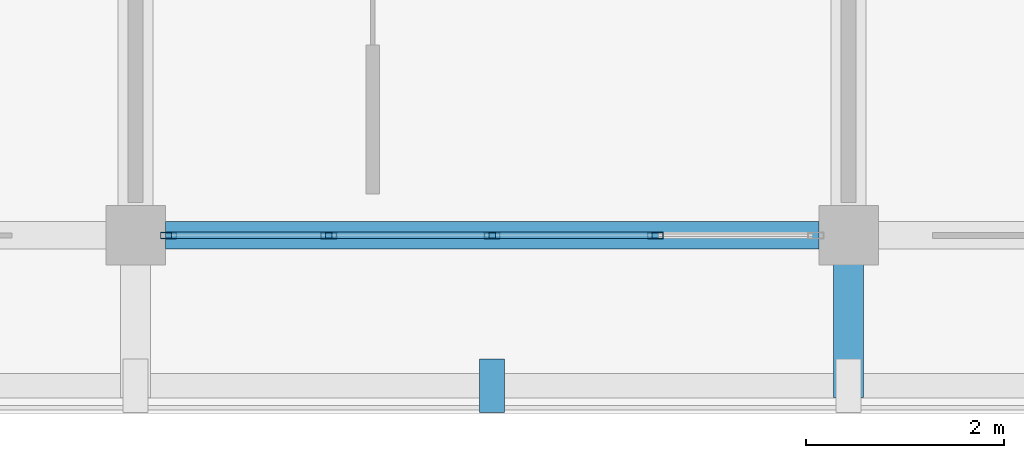
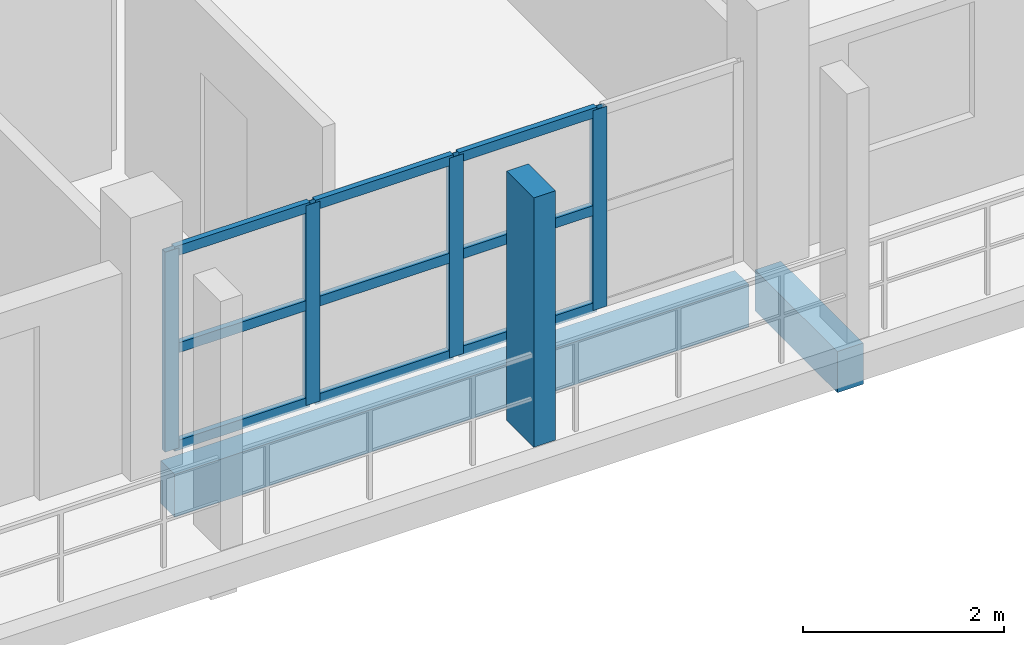
# One storey, part 4 of 78: 14 members, 2 beams, 1 element without a shape of its own.
"""IFC4 building model written with IfcOpenShell, lengths in metres."""

from ifc_helpers import new_model, si_unit, direction, frame, origin, origin_2d, place, context, subcontext, project, spatial, rectangle, hollow_rectangle, extrude, material, material_profile, profile_set, type_object, element, aggregate, save


model = new_model("IFC4")

# Units and contexts
model_context = context("Model", 3, precision=1e-05, world=origin(), true_north=direction((0.0, 1.0)))
body_context = subcontext(model_context, "Body", "Model", "MODEL_VIEW")
ifc_project = project(units=[si_unit("LENGTHUNIT", "METRE"), si_unit("AREAUNIT", "SQUARE_METRE"), si_unit("VOLUMEUNIT", "CUBIC_METRE"), si_unit("PLANEANGLEUNIT", "RADIAN"), si_unit("MASSUNIT", "GRAM", prefix="KILO")], contexts=[model_context])

# Site, building, storey
site_placement = place(None, origin())
site = spatial("IfcSite", under=ifc_project, at=site_placement, CompositionType="ELEMENT")
building_placement = place(site_placement, origin())
building = spatial("IfcBuilding", under=site, at=building_placement, Name="Suanplinth Sawtooth Commons", CompositionType="ELEMENT")
storey_placement = place(building_placement, frame((0.0, 0.0, 15.39990234375)))
storey = spatial("IfcBuildingStorey", under=building, at=storey_placement, Name="L04", CompositionType="ELEMENT", Elevation=15.39990234375)

# Beams
ifc_material_1 = material(Name="Precast concrete C40/50", Category="concrete")
ifc_material_profile_1 = material_profile(ifc_material_1, rectangle(XDim=0.300048828125, YDim=0.5, at=origin_2d()), Name="PC-BM 300x500")
ifc_profile_set_1 = profile_set([ifc_material_profile_1], Name="Precast concrete C40/50")
beam_type_1 = type_object("IfcBeamType", Name="B-07", PredefinedType="BEAM", material=ifc_profile_set_1)
beam_1_placement = place(storey_placement, frame((21.60009765625, 0.0, -0.429931640625), z_axis=(0.0, -1.0, 0.0), x_axis=(1.0, 0.0, 0.0)))
element("IfcBeam", 1, at=beam_1_placement, inside=storey, type_object=beam_type_1, Name="Balcony Outrigger L04-D-S-3", PredefinedType="BEAM", context=body_context, shape_type="SweptSolid", body=[
    extrude(rectangle(XDim=0.300048828125, YDim=0.5, at=origin_2d()), origin(), (0.0, 0.0, 1.0), 1.639892578125),
])
ifc_material_profile_2 = material_profile(ifc_material_1, rectangle(XDim=0.280029296875, YDim=0.52001953125, at=origin_2d()), Name="PC-SP 280x520")
ifc_profile_set_2 = profile_set([ifc_material_profile_2], Name="Precast concrete C40/50")
beam_type_2 = type_object("IfcBeamType", Name="B-08", PredefinedType="SPANDREL", material=ifc_profile_set_2)
beam_2_placement = place(storey_placement, frame((14.699951171875, 0.0, -0.47998046875), z_axis=(1.0, 0.0, 0.0), x_axis=(0.0, 1.0, 0.0)))
element("IfcBeam", 2, at=beam_2_placement, inside=storey, type_object=beam_type_2, Name="BMX-L04-D-2-0", PredefinedType="SPANDREL", context=body_context, shape_type="SweptSolid", body=[
    extrude(rectangle(XDim=0.280029296875, YDim=0.52001953125, at=origin_2d()), origin(), (0.0, 0.0, 1.0), 6.60009765625),
])

# Member
ifc_material_2 = material(Name="Pigmented precast concrete C40/50", Category="concrete")
ifc_material_profile_3 = material_profile(ifc_material_2, rectangle(XDim=0.25, YDim=0.5400390625, at=origin_2d()), Name="PC-FIN 250x540")
ifc_profile_set_3 = profile_set([ifc_material_profile_3], Name="Pigmented precast concrete C40/50")
member_type_1 = type_object("IfcMemberType", Name="M-11", PredefinedType="USERDEFINED", material=ifc_profile_set_3)
member_1_placement = place(storey_placement, frame((18.0, -1.52001953125, 0.0), z_axis=(0.0, 0.0, 1.0), x_axis=(1.0, 0.0, 0.0)))
element("IfcMember", 3, at=member_1_placement, inside=storey, type_object=member_type_1, Name="Upright Solar Blade L04-D-S-04", ObjectType="SHADING FIN", PredefinedType="USERDEFINED", context=body_context, shape_type="SweptSolid", body=[
    extrude(rectangle(XDim=0.25, YDim=0.5400390625, at=origin_2d()), origin(), (0.0, 0.0, 1.0), 3.030029296875),
])

# Curtain wall, members
ifc_material_3 = material(Name="Anodized aluminium and low-E glazing", Category="aluminium")
curtain_wall_type = type_object("IfcCurtainWallType", Name="CW-06", PredefinedType="USERDEFINED", material=ifc_material_3)
curtain_wall_placement = place(storey_placement, origin())
curtain_wall = element("IfcCurtainWall", 4, at=curtain_wall_placement, inside=storey, type_object=curtain_wall_type, Name="Curtain Wall CW-L04-D-LOUNGE-2", ObjectType="CURTAIN WALL", PredefinedType="USERDEFINED")
ifc_material_4 = material(Name="Anodized aluminium 6063-T6", Category="aluminium")
ifc_material_profile_4 = material_profile(ifc_material_4, hollow_rectangle(XDim=0.06494140625, YDim=0.159912109375, WallThickness=0.00390625, at=origin_2d()), Name="ALU-MUL 65x160")
ifc_profile_set_4 = profile_set([ifc_material_profile_4], Name="Anodized aluminium 6063-T6")
member_type_2 = type_object("IfcMemberType", Name="M-13", PredefinedType="MULLION", material=ifc_profile_set_4)
member_2_placement = place(storey_placement, frame((14.732421875, 0.0, 0.0), z_axis=(0.0, 0.0, 1.0), x_axis=(0.0, 1.0, 0.0)))
member_2 = element("IfcMember", 5, at=member_2_placement, type_object=member_type_2, Name="CW-06 mullion 1", PredefinedType="MULLION", context=body_context, shape_type="SweptSolid", body=[
    extrude(hollow_rectangle(XDim=0.06494140625, YDim=0.159912109375, WallThickness=0.00390625, at=origin_2d()), origin(), (0.0, 0.0, 1.0), 2.43017578125),
])
member_3_placement = place(storey_placement, frame((16.35009765625, 0.0, 0.0), z_axis=(0.0, 0.0, 1.0), x_axis=(0.0, 1.0, 0.0)))
member_3 = element("IfcMember", 6, at=member_3_placement, type_object=member_type_2, Name="CW-06 mullion 2", PredefinedType="MULLION", context=body_context, shape_type="SweptSolid", body=[
    extrude(hollow_rectangle(XDim=0.06494140625, YDim=0.159912109375, WallThickness=0.00390625, at=origin_2d()), origin(), (0.0, 0.0, 1.0), 2.43017578125),
])
member_4_placement = place(storey_placement, frame((18.0, 0.0, 0.0), z_axis=(0.0, 0.0, 1.0), x_axis=(0.0, 1.0, 0.0)))
member_4 = element("IfcMember", 7, at=member_4_placement, type_object=member_type_2, Name="CW-06 mullion 3", PredefinedType="MULLION", context=body_context, shape_type="SweptSolid", body=[
    extrude(hollow_rectangle(XDim=0.06494140625, YDim=0.159912109375, WallThickness=0.00390625, at=origin_2d()), origin(), (0.0, 0.0, 1.0), 2.43017578125),
])
member_5_placement = place(storey_placement, frame((19.64990234375, 0.0, 0.0), z_axis=(0.0, 0.0, 1.0), x_axis=(0.0, 1.0, 0.0)))
member_5 = element("IfcMember", 8, at=member_5_placement, type_object=member_type_2, Name="CW-06 mullion 4", PredefinedType="MULLION", context=body_context, shape_type="SweptSolid", body=[
    extrude(hollow_rectangle(XDim=0.06494140625, YDim=0.159912109375, WallThickness=0.00390625, at=origin_2d()), origin(), (0.0, 0.0, 1.0), 2.43017578125),
])
ifc_material_profile_5 = material_profile(ifc_material_4, hollow_rectangle(XDim=0.06494140625, YDim=0.1201171875, WallThickness=0.00390625, at=origin_2d()), Name="ALU-TRN 65x120")
ifc_profile_set_5 = profile_set([ifc_material_profile_5], Name="Anodized aluminium 6063-T6")
member_type_3 = type_object("IfcMemberType", Name="M-15", PredefinedType="USERDEFINED", material=ifc_profile_set_5)
member_6_placement = place(storey_placement, frame((14.764892578125, 0.0, 0.03271484375), z_axis=(1.0, 0.0, 0.0), x_axis=(0.0, 1.0, 0.0)))
member_6 = element("IfcMember", 9, at=member_6_placement, type_object=member_type_3, Name="CW-06 transom 1.1", ObjectType="TRANSOM", PredefinedType="USERDEFINED", context=body_context, shape_type="SweptSolid", body=[
    extrude(hollow_rectangle(XDim=0.06494140625, YDim=0.1201171875, WallThickness=0.00390625, at=origin_2d()), origin(), (0.0, 0.0, 1.0), 1.552490234375),
])
member_7_placement = place(storey_placement, frame((14.764892578125, 0.0, 1.215087890625), z_axis=(1.0, 0.0, 0.0), x_axis=(0.0, 1.0, 0.0)))
member_7 = element("IfcMember", 10, at=member_7_placement, type_object=member_type_3, Name="CW-06 transom 1.2", ObjectType="TRANSOM", PredefinedType="USERDEFINED", context=body_context, shape_type="SweptSolid", body=[
    extrude(hollow_rectangle(XDim=0.06494140625, YDim=0.1201171875, WallThickness=0.00390625, at=origin_2d()), origin(), (0.0, 0.0, 1.0), 1.552490234375),
])
member_8_placement = place(storey_placement, frame((14.764892578125, 0.0, 2.397705078125), z_axis=(1.0, 0.0, 0.0), x_axis=(0.0, 1.0, 0.0)))
member_8 = element("IfcMember", 11, at=member_8_placement, type_object=member_type_3, Name="CW-06 transom 1.3", ObjectType="TRANSOM", PredefinedType="USERDEFINED", context=body_context, shape_type="SweptSolid", body=[
    extrude(hollow_rectangle(XDim=0.06494140625, YDim=0.1201171875, WallThickness=0.00390625, at=origin_2d()), origin(), (0.0, 0.0, 1.0), 1.552490234375),
])
member_9_placement = place(storey_placement, frame((16.382568359375, 0.0, 0.03271484375), z_axis=(1.0, 0.0, 0.0), x_axis=(0.0, 1.0, 0.0)))
member_9 = element("IfcMember", 12, at=member_9_placement, type_object=member_type_3, Name="CW-06 transom 2.1", ObjectType="TRANSOM", PredefinedType="USERDEFINED", context=body_context, shape_type="SweptSolid", body=[
    extrude(hollow_rectangle(XDim=0.06494140625, YDim=0.1201171875, WallThickness=0.00390625, at=origin_2d()), origin(), (0.0, 0.0, 1.0), 1.5849609375),
])
member_10_placement = place(storey_placement, frame((16.382568359375, 0.0, 1.215087890625), z_axis=(1.0, 0.0, 0.0), x_axis=(0.0, 1.0, 0.0)))
member_10 = element("IfcMember", 13, at=member_10_placement, type_object=member_type_3, Name="CW-06 transom 2.2", ObjectType="TRANSOM", PredefinedType="USERDEFINED", context=body_context, shape_type="SweptSolid", body=[
    extrude(hollow_rectangle(XDim=0.06494140625, YDim=0.1201171875, WallThickness=0.00390625, at=origin_2d()), origin(), (0.0, 0.0, 1.0), 1.5849609375),
])
member_11_placement = place(storey_placement, frame((16.382568359375, 0.0, 2.397705078125), z_axis=(1.0, 0.0, 0.0), x_axis=(0.0, 1.0, 0.0)))
member_11 = element("IfcMember", 14, at=member_11_placement, type_object=member_type_3, Name="CW-06 transom 2.3", ObjectType="TRANSOM", PredefinedType="USERDEFINED", context=body_context, shape_type="SweptSolid", body=[
    extrude(hollow_rectangle(XDim=0.06494140625, YDim=0.1201171875, WallThickness=0.00390625, at=origin_2d()), origin(), (0.0, 0.0, 1.0), 1.5849609375),
])
member_12_placement = place(storey_placement, frame((18.032470703125, 0.0, 0.03271484375), z_axis=(1.0, 0.0, 0.0), x_axis=(0.0, 1.0, 0.0)))
member_12 = element("IfcMember", 15, at=member_12_placement, type_object=member_type_3, Name="CW-06 transom 3.1", ObjectType="TRANSOM", PredefinedType="USERDEFINED", context=body_context, shape_type="SweptSolid", body=[
    extrude(hollow_rectangle(XDim=0.06494140625, YDim=0.1201171875, WallThickness=0.00390625, at=origin_2d()), origin(), (0.0, 0.0, 1.0), 1.5849609375),
])
member_13_placement = place(storey_placement, frame((18.032470703125, 0.0, 1.215087890625), z_axis=(1.0, 0.0, 0.0), x_axis=(0.0, 1.0, 0.0)))
member_13 = element("IfcMember", 16, at=member_13_placement, type_object=member_type_3, Name="CW-06 transom 3.2", ObjectType="TRANSOM", PredefinedType="USERDEFINED", context=body_context, shape_type="SweptSolid", body=[
    extrude(hollow_rectangle(XDim=0.06494140625, YDim=0.1201171875, WallThickness=0.00390625, at=origin_2d()), origin(), (0.0, 0.0, 1.0), 1.5849609375),
])
member_14_placement = place(storey_placement, frame((18.032470703125, 0.0, 2.397705078125), z_axis=(1.0, 0.0, 0.0), x_axis=(0.0, 1.0, 0.0)))
member_14 = element("IfcMember", 17, at=member_14_placement, type_object=member_type_3, Name="CW-06 transom 3.3", ObjectType="TRANSOM", PredefinedType="USERDEFINED", context=body_context, shape_type="SweptSolid", body=[
    extrude(hollow_rectangle(XDim=0.06494140625, YDim=0.1201171875, WallThickness=0.00390625, at=origin_2d()), origin(), (0.0, 0.0, 1.0), 1.5849609375),
])
aggregate(curtain_wall, [member_2, member_3, member_4, member_5, member_6, member_7, member_8, member_9, member_10, member_11, member_12, member_13, member_14])

save(model, "model.ifc")
